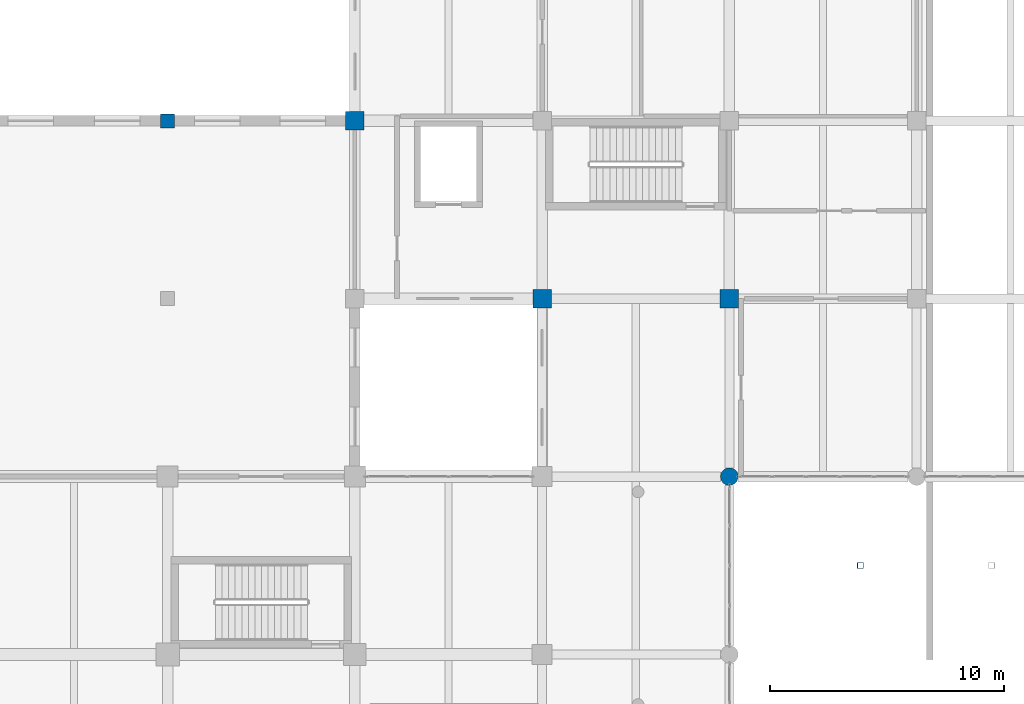
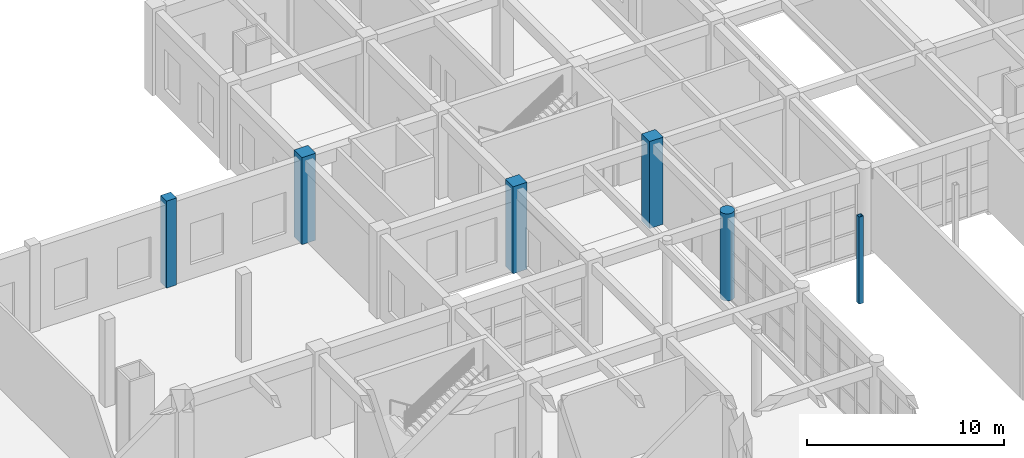
# One storey, part 7 of 95: 6 columns.
"""IFC4 building model written with IfcOpenShell, lengths in metres."""

from ifc_helpers import new_model, si_unit, direction, frame, origin, origin_2d, place, context, subcontext, project, spatial, rectangle, hollow_rectangle, circle, extrude, material, material_profile, profile_set, type_object, element, save


model = new_model("IFC4")

# Units and contexts
model_context = context("Model", 3, precision=1e-05, world=origin(), true_north=direction((0.0, 1.0)))
body_context = subcontext(model_context, "Body", "Model", "MODEL_VIEW")
ifc_project = project(units=[si_unit("LENGTHUNIT", "METRE"), si_unit("AREAUNIT", "SQUARE_METRE"), si_unit("VOLUMEUNIT", "CUBIC_METRE"), si_unit("PLANEANGLEUNIT", "RADIAN"), si_unit("MASSUNIT", "GRAM", prefix="KILO")], contexts=[model_context])

# Site, building, storey
site_placement = place(None, origin())
site = spatial("IfcSite", under=ifc_project, at=site_placement, CompositionType="ELEMENT")
building_placement = place(site_placement, origin())
building = spatial("IfcBuilding", under=site, at=building_placement, Name="Zantavel Square City Hall", CompositionType="ELEMENT")
storey_placement = place(building_placement, origin())
storey = spatial("IfcBuildingStorey", under=building, at=storey_placement, Name="L01", CompositionType="ELEMENT", Elevation=0.0)

# Columns
ifc_material_1 = material(Name="Concrete C40/50", Category="concrete")
ifc_material_profile_1 = material_profile(ifc_material_1, rectangle(XDim=0.60009765625, YDim=0.60009765625, at=origin_2d()), Name="RC 600x600")
ifc_profile_set_1 = profile_set([ifc_material_profile_1], Name="Concrete C40/50")
column_type_1 = type_object("IfcColumnType", Name="Column RC 600x600 C40/50", PredefinedType="COLUMN", material=ifc_profile_set_1)
column_1_placement = place(storey_placement, frame((96.0, 83.60009765625, 0.0), z_axis=(0.0, 0.0, 1.0), x_axis=(1.0, 0.0, 0.0)))
element("IfcColumn", 1, at=column_1_placement, inside=storey, type_object=column_type_1, Name="L01 Column COL-L01-0960-0836", PredefinedType="COLUMN", context=body_context, shape_type="SweptSolid", body=[
    extrude(rectangle(XDim=0.60009765625, YDim=0.60009765625, at=origin_2d()), origin(), (0.0, 0.0, 1.0), 5.39990234375),
])
ifc_material_profile_2 = material_profile(ifc_material_1, rectangle(XDim=0.800048828125, YDim=0.800048828125, at=origin_2d()), Name="RC 800x800")
ifc_profile_set_2 = profile_set([ifc_material_profile_2], Name="Concrete C40/50")
column_type_2 = type_object("IfcColumnType", Name="Column RC 800x800 C40/50", PredefinedType="COLUMN", material=ifc_profile_set_2)
for number, where, z_axis, x_axis, name in (
    (2, (104.0, 83.60009765625, 0.0), (0.0, 0.0, 1.0), (1.0, 0.0, 0.0), "L01 Column COL-L01-1040-0836"),
    (3, (112.0, 76.0, 0.0), (0.0, 0.0, 1.0), (1.0, 0.0, 0.0), "L01 Column COL-L01-1120-0760"),
    (4, (120.0, 76.0, 0.0), (0.0, 0.0, 1.0), (1.0, 0.0, 0.0), "L01 Column COL-L01-1200-0760"),
):
    element("IfcColumn", number, at=place(storey_placement, frame(where, z_axis=z_axis, x_axis=x_axis)), inside=storey, type_object=column_type_2, Name=name, PredefinedType="COLUMN", context=body_context, shape_type="SweptSolid", body=[
        extrude(rectangle(XDim=0.800048828125, YDim=0.800048828125, at=origin_2d()), origin(), (0.0, 0.0, 1.0), 5.39990234375),
    ])
ifc_material_profile_3 = material_profile(ifc_material_1, circle(Radius=0.375, at=origin_2d()), Name="ROUND D750")
ifc_profile_set_3 = profile_set([ifc_material_profile_3], Name="Concrete C40/50")
column_type_3 = type_object("IfcColumnType", Name="Courtyard Ionic Column D750 C40/50", PredefinedType="COLUMN", material=ifc_profile_set_3)
column_2_placement = place(storey_placement, frame((120.0, 68.39990234375, 0.0), z_axis=(0.0, 0.0, 1.0), x_axis=(1.0, 0.0, 0.0)))
element("IfcColumn", 5, at=column_2_placement, inside=storey, type_object=column_type_3, Name="L01 Column COL-L01-1200-0684", PredefinedType="COLUMN", context=body_context, shape_type="SweptSolid", body=[
    extrude(circle(Radius=0.375, at=origin_2d()), origin(), (0.0, 0.0, 1.0), 5.39990234375),
])
ifc_material_2 = material(Name="Steel ASTM A500 Grade B", Category="steel")
ifc_material_profile_4 = material_profile(ifc_material_2, hollow_rectangle(XDim=0.25390625, YDim=0.25390625, WallThickness=0.0126953125, at=origin_2d()), Name="HSS 254x254x12.7")
ifc_profile_set_4 = profile_set([ifc_material_profile_4], Name="Steel ASTM A500 Grade B")
column_type_4 = type_object("IfcColumnType", Name="Pavilion Steel Column HSS254", PredefinedType="COLUMN", material=ifc_profile_set_4)
column_3_placement = place(storey_placement, frame((125.60009765625, 64.60009765625, 0.0), z_axis=(0.0, 0.0, 1.0), x_axis=(1.0, 0.0, 0.0)))
element("IfcColumn", 6, at=column_3_placement, inside=storey, type_object=column_type_4, Name="L01 Courtyard Skylight Column 1-N", PredefinedType="COLUMN", context=body_context, shape_type="SweptSolid", body=[
    extrude(hollow_rectangle(XDim=0.25390625, YDim=0.25390625, WallThickness=0.0126953125, at=origin_2d()), origin(), (0.0, 0.0, 1.0), 5.39990234375),
])

save(model, "model.ifc")
